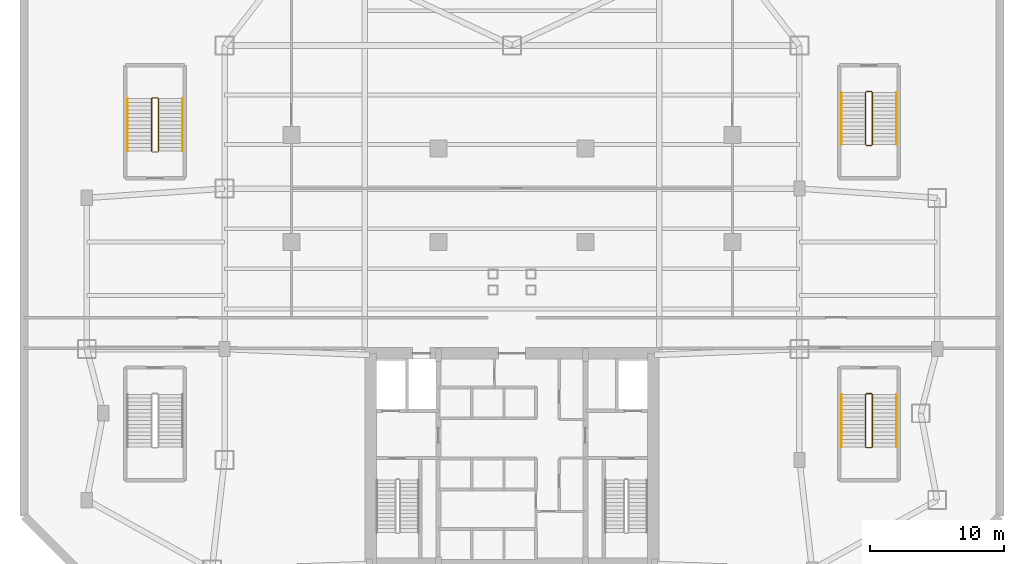
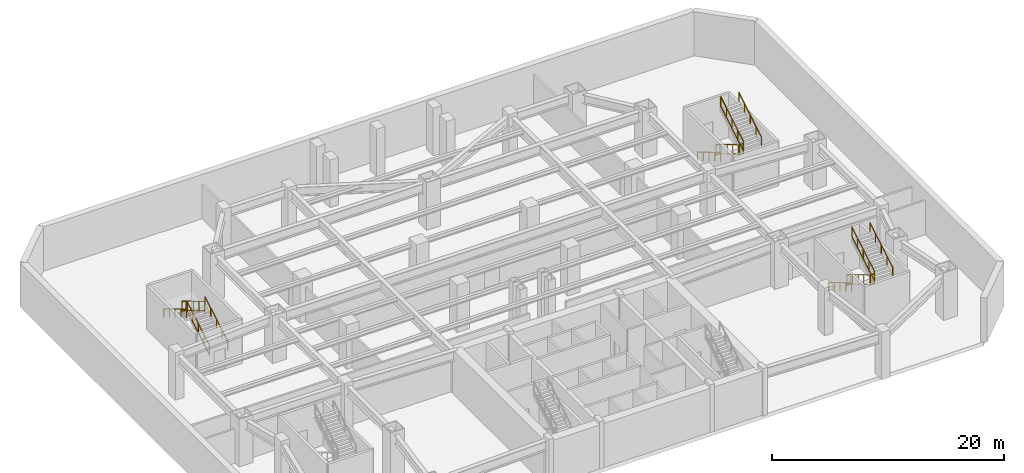
# One storey, part 6 of 6: 17 railings.
"""IFC4 building model written with IfcOpenShell, lengths in metres."""

from ifc_helpers import new_model, si_unit, direction, frame, origin, origin_2d, place, context, subcontext, project, spatial, rectangle, extrude, material, type_object, element, save


model = new_model("IFC4")

# Units and contexts
model_context = context("Model", 3, precision=1e-05, world=origin(), true_north=direction((0.0, 1.0)))
body_context = subcontext(model_context, "Body", "Model", "MODEL_VIEW")
ifc_project = project(units=[si_unit("LENGTHUNIT", "METRE"), si_unit("AREAUNIT", "SQUARE_METRE"), si_unit("VOLUMEUNIT", "CUBIC_METRE"), si_unit("PLANEANGLEUNIT", "RADIAN"), si_unit("MASSUNIT", "GRAM", prefix="KILO")], contexts=[model_context])

# Site, building, storey
site_placement = place(None, origin())
site = spatial("IfcSite", under=ifc_project, at=site_placement, CompositionType="ELEMENT")
building_placement = place(site_placement, origin())
building = spatial("IfcBuilding", under=site, at=building_placement, Name="Varnakhor Terracotta Tower", CompositionType="ELEMENT")
storey_placement = place(building_placement, frame((0.0, 0.0, -5.0)))
storey = spatial("IfcBuildingStorey", under=building, at=storey_placement, Name="B01", CompositionType="ELEMENT", Elevation=-5.0)

# Railings
ifc_material_1 = material(Name="Painted Steel Stairwell Guardrail", Category="steel")
railing_type_1 = type_object("IfcRailingType", Name="RLG-STAIR-GUARD-1120", PredefinedType="GUARDRAIL", material=ifc_material_1)
railing_1_placement = place(storey_placement, frame((26.449951171875, 13.10009765625, 0.166748046875)))
element("IfcRailing", 1, at=railing_1_placement, inside=storey, type_object=railing_type_1, Name="B01 ST-P2 stair guard 1", PredefinedType="GUARDRAIL", context=body_context, shape_type="SweptSolid", body=[
    extrude(rectangle(XDim=0.048095703125, YDim=0.048095703125, at=origin_2d()), frame((0.0, 0.0, 1.09619140625), z_axis=(0.0, -0.859310244771, 0.511454693235), x_axis=(1.0, 0.0, 0.0)), (0.0, 0.0, 1.0), 4.56201171875),
    extrude(rectangle(XDim=0.048095703125, YDim=0.048095703125, at=origin_2d()), frame((0.0, 0.0, 0.10009765625), z_axis=(0.0, -0.859310244771, 0.511454693235), x_axis=(1.0, 0.0, 0.0)), (0.0, 0.0, 1.0), 4.56201171875),
    extrude(rectangle(XDim=0.0419921875, YDim=0.0419921875, at=origin_2d()), origin(), (0.0, 0.0, 1.0), 1.072021484375),
    extrude(rectangle(XDim=0.0419921875, YDim=0.0419921875, at=origin_2d()), frame((0.0, -0.97998046875, 0.583251953125)), (0.0, 0.0, 1.0), 1.072021484375),
    extrude(rectangle(XDim=0.0419921875, YDim=0.0419921875, at=origin_2d()), frame((0.0, -1.9599609375, 1.16650390625)), (0.0, 0.0, 1.0), 1.072021484375),
    extrude(rectangle(XDim=0.0419921875, YDim=0.0419921875, at=origin_2d()), frame((0.0, -2.940185546875, 1.75)), (0.0, 0.0, 1.0), 1.072021484375),
    extrude(rectangle(XDim=0.0419921875, YDim=0.0419921875, at=origin_2d()), frame((0.0, -3.920166015625, 2.333251953125)), (0.0, 0.0, 1.0), 1.072021484375),
])
railing_2_placement = place(storey_placement, frame((26.5, 9.1298828125, 2.5)))
element("IfcRailing", 2, at=railing_2_placement, inside=storey, type_object=railing_type_1, Name="B01 ST-P2 stair guard 2", PredefinedType="GUARDRAIL", context=body_context, shape_type="SweptSolid", body=[
    extrude(rectangle(XDim=0.048095703125, YDim=0.048095703125, at=origin_2d()), frame((0.0, 0.0, 1.09619140625), z_axis=(1.0, 0.0, 0.0), x_axis=(0.0, 1.0, 0.0)), (0.0, 0.0, 1.0), 0.39990234375),
    extrude(rectangle(XDim=0.048095703125, YDim=0.048095703125, at=origin_2d()), frame((0.0, 0.0, 0.10009765625), z_axis=(1.0, 0.0, 0.0), x_axis=(0.0, 1.0, 0.0)), (0.0, 0.0, 1.0), 0.39990234375),
    extrude(rectangle(XDim=0.0419921875, YDim=0.0419921875, at=origin_2d()), origin(), (0.0, 0.0, 1.0), 1.072021484375),
    extrude(rectangle(XDim=0.0419921875, YDim=0.0419921875, at=origin_2d()), frame((0.39990234375, 0.0, 0.0)), (0.0, 0.0, 1.0), 1.072021484375),
])
railing_3_placement = place(storey_placement, frame((26.949951171875, 9.179931640625, 2.666748046875)))
element("IfcRailing", 3, at=railing_3_placement, inside=storey, type_object=railing_type_1, Name="B01 ST-P2 stair guard 3", PredefinedType="GUARDRAIL", context=body_context, shape_type="SweptSolid", body=[
    extrude(rectangle(XDim=0.048095703125, YDim=0.048095703125, at=origin_2d()), frame((0.0, 0.0, 1.09619140625), z_axis=(0.0, 0.859310244771, 0.511454693235), x_axis=(-1.0, 0.0, 0.0)), (0.0, 0.0, 1.0), 4.56201171875),
    extrude(rectangle(XDim=0.048095703125, YDim=0.048095703125, at=origin_2d()), frame((0.0, 0.0, 0.10009765625), z_axis=(0.0, 0.859310244771, 0.511454693235), x_axis=(-1.0, 0.0, 0.0)), (0.0, 0.0, 1.0), 4.56201171875),
    extrude(rectangle(XDim=0.0419921875, YDim=0.0419921875, at=origin_2d()), origin(), (0.0, 0.0, 1.0), 1.072021484375),
    extrude(rectangle(XDim=0.0419921875, YDim=0.0419921875, at=origin_2d()), frame((0.0, 0.97998046875, 0.583251953125)), (0.0, 0.0, 1.0), 1.072021484375),
    extrude(rectangle(XDim=0.0419921875, YDim=0.0419921875, at=origin_2d()), frame((0.0, 1.9599609375, 1.16650390625)), (0.0, 0.0, 1.0), 1.072021484375),
    extrude(rectangle(XDim=0.0419921875, YDim=0.0419921875, at=origin_2d()), frame((0.0, 2.940185546875, 1.75)), (0.0, 0.0, 1.0), 1.072021484375),
    extrude(rectangle(XDim=0.0419921875, YDim=0.0419921875, at=origin_2d()), frame((0.0, 3.920166015625, 2.333251953125)), (0.0, 0.0, 1.0), 1.072021484375),
])
railing_4_placement = place(storey_placement, frame((26.5, 13.14990234375, 0.0)))
element("IfcRailing", 4, at=railing_4_placement, inside=storey, type_object=railing_type_1, Name="B01 ST-P2 stair guard 4", PredefinedType="GUARDRAIL", context=body_context, shape_type="SweptSolid", body=[
    extrude(rectangle(XDim=0.048095703125, YDim=0.048095703125, at=origin_2d()), frame((0.0, 0.0, 1.09619140625), z_axis=(1.0, 0.0, 0.0), x_axis=(0.0, 1.0, 0.0)), (0.0, 0.0, 1.0), 0.39990234375),
    extrude(rectangle(XDim=0.048095703125, YDim=0.048095703125, at=origin_2d()), frame((0.0, 0.0, 0.10009765625), z_axis=(1.0, 0.0, 0.0), x_axis=(0.0, 1.0, 0.0)), (0.0, 0.0, 1.0), 0.39990234375),
    extrude(rectangle(XDim=0.0419921875, YDim=0.0419921875, at=origin_2d()), origin(), (0.0, 0.0, 1.0), 1.072021484375),
    extrude(rectangle(XDim=0.0419921875, YDim=0.0419921875, at=origin_2d()), frame((0.39990234375, 0.0, 0.0)), (0.0, 0.0, 1.0), 1.072021484375),
])
railing_5_placement = place(storey_placement, frame((-26.449951171875, 31.300048828125, 0.166748046875)))
element("IfcRailing", 5, at=railing_5_placement, inside=storey, type_object=railing_type_1, Name="B01 ST-P3 stair guard 1", PredefinedType="GUARDRAIL", context=body_context, shape_type="SweptSolid", body=[
    extrude(rectangle(XDim=0.048095703125, YDim=0.048095703125, at=origin_2d()), frame((0.0, 0.0, 1.09619140625), z_axis=(0.0, 0.859296244711, 0.511478214419), x_axis=(-1.0, 0.0, 0.0)), (0.0, 0.0, 1.0), 4.561767578125),
    extrude(rectangle(XDim=0.048095703125, YDim=0.048095703125, at=origin_2d()), frame((0.0, 0.0, 0.10009765625), z_axis=(0.0, 0.859296244711, 0.511478214419), x_axis=(-1.0, 0.0, 0.0)), (0.0, 0.0, 1.0), 4.561767578125),
    extrude(rectangle(XDim=0.0419921875, YDim=0.0419921875, at=origin_2d()), origin(), (0.0, 0.0, 1.0), 1.072021484375),
    extrude(rectangle(XDim=0.0419921875, YDim=0.0419921875, at=origin_2d()), frame((0.0, 0.97998046875, 0.583251953125)), (0.0, 0.0, 1.0), 1.072021484375),
    extrude(rectangle(XDim=0.0419921875, YDim=0.0419921875, at=origin_2d()), frame((0.0, 1.9599609375, 1.16650390625)), (0.0, 0.0, 1.0), 1.072021484375),
    extrude(rectangle(XDim=0.0419921875, YDim=0.0419921875, at=origin_2d()), frame((0.0, 2.93994140625, 1.75)), (0.0, 0.0, 1.0), 1.072021484375),
    extrude(rectangle(XDim=0.0419921875, YDim=0.0419921875, at=origin_2d()), frame((0.0, 3.919921875, 2.333251953125)), (0.0, 0.0, 1.0), 1.072021484375),
])
railing_6_placement = place(storey_placement, frame((-26.5, 35.27001953125, 2.5)))
element("IfcRailing", 6, at=railing_6_placement, inside=storey, type_object=railing_type_1, Name="B01 ST-P3 stair guard 2", PredefinedType="GUARDRAIL", context=body_context, shape_type="SweptSolid", body=[
    extrude(rectangle(XDim=0.048095703125, YDim=0.048095703125, at=origin_2d()), frame((0.0, 0.0, 1.09619140625), z_axis=(-1.0, 0.0, 0.0), x_axis=(0.0, -1.0, 0.0)), (0.0, 0.0, 1.0), 0.39990234375),
    extrude(rectangle(XDim=0.048095703125, YDim=0.048095703125, at=origin_2d()), frame((0.0, 0.0, 0.10009765625), z_axis=(-1.0, 0.0, 0.0), x_axis=(0.0, -1.0, 0.0)), (0.0, 0.0, 1.0), 0.39990234375),
    extrude(rectangle(XDim=0.0419921875, YDim=0.0419921875, at=origin_2d()), origin(), (0.0, 0.0, 1.0), 1.072021484375),
    extrude(rectangle(XDim=0.0419921875, YDim=0.0419921875, at=origin_2d()), frame((-0.39990234375, 0.0, 0.0)), (0.0, 0.0, 1.0), 1.072021484375),
])
for number, where, name in (
    (7, (-26.949951171875, 35.219970703125, 2.666748046875), "B01 ST-P3 stair guard 3"),
    (8, (26.449951171875, 35.699951171875, 0.166748046875), "B01 ST-P4 stair guard 1"),
):
    element("IfcRailing", number, at=place(storey_placement, frame(where)), inside=storey, type_object=railing_type_1, Name=name, PredefinedType="GUARDRAIL", context=body_context, shape_type="SweptSolid", body=[
        extrude(rectangle(XDim=0.048095703125, YDim=0.048095703125, at=origin_2d()), frame((0.0, 0.0, 1.09619140625), z_axis=(0.0, -0.859296244711, 0.511478214419), x_axis=(1.0, 0.0, 0.0)), (0.0, 0.0, 1.0), 4.561767578125),
        extrude(rectangle(XDim=0.048095703125, YDim=0.048095703125, at=origin_2d()), frame((0.0, 0.0, 0.10009765625), z_axis=(0.0, -0.859296244711, 0.511478214419), x_axis=(1.0, 0.0, 0.0)), (0.0, 0.0, 1.0), 4.561767578125),
        extrude(rectangle(XDim=0.0419921875, YDim=0.0419921875, at=origin_2d()), origin(), (0.0, 0.0, 1.0), 1.072021484375),
        extrude(rectangle(XDim=0.0419921875, YDim=0.0419921875, at=origin_2d()), frame((0.0, -0.97998046875, 0.583251953125)), (0.0, 0.0, 1.0), 1.072021484375),
        extrude(rectangle(XDim=0.0419921875, YDim=0.0419921875, at=origin_2d()), frame((0.0, -1.9599609375, 1.16650390625)), (0.0, 0.0, 1.0), 1.072021484375),
        extrude(rectangle(XDim=0.0419921875, YDim=0.0419921875, at=origin_2d()), frame((0.0, -2.93994140625, 1.75)), (0.0, 0.0, 1.0), 1.072021484375),
        extrude(rectangle(XDim=0.0419921875, YDim=0.0419921875, at=origin_2d()), frame((0.0, -3.919921875, 2.333251953125)), (0.0, 0.0, 1.0), 1.072021484375),
    ])
railing_7_placement = place(storey_placement, frame((26.5, 31.72998046875, 2.5)))
element("IfcRailing", 9, at=railing_7_placement, inside=storey, type_object=railing_type_1, Name="B01 ST-P4 stair guard 2", PredefinedType="GUARDRAIL", context=body_context, shape_type="SweptSolid", body=[
    extrude(rectangle(XDim=0.048095703125, YDim=0.048095703125, at=origin_2d()), frame((0.0, 0.0, 1.09619140625), z_axis=(1.0, 0.0, 0.0), x_axis=(0.0, 1.0, 0.0)), (0.0, 0.0, 1.0), 0.39990234375),
    extrude(rectangle(XDim=0.048095703125, YDim=0.048095703125, at=origin_2d()), frame((0.0, 0.0, 0.10009765625), z_axis=(1.0, 0.0, 0.0), x_axis=(0.0, 1.0, 0.0)), (0.0, 0.0, 1.0), 0.39990234375),
    extrude(rectangle(XDim=0.0419921875, YDim=0.0419921875, at=origin_2d()), origin(), (0.0, 0.0, 1.0), 1.072021484375),
    extrude(rectangle(XDim=0.0419921875, YDim=0.0419921875, at=origin_2d()), frame((0.39990234375, 0.0, 0.0)), (0.0, 0.0, 1.0), 1.072021484375),
])
railing_8_placement = place(storey_placement, frame((26.949951171875, 31.780029296875, 2.666748046875)))
element("IfcRailing", 10, at=railing_8_placement, inside=storey, type_object=railing_type_1, Name="B01 ST-P4 stair guard 3", PredefinedType="GUARDRAIL", context=body_context, shape_type="SweptSolid", body=[
    extrude(rectangle(XDim=0.048095703125, YDim=0.048095703125, at=origin_2d()), frame((0.0, 0.0, 1.09619140625), z_axis=(0.0, 0.859296244711, 0.511478214419), x_axis=(-1.0, 0.0, 0.0)), (0.0, 0.0, 1.0), 4.561767578125),
    extrude(rectangle(XDim=0.048095703125, YDim=0.048095703125, at=origin_2d()), frame((0.0, 0.0, 0.10009765625), z_axis=(0.0, 0.859296244711, 0.511478214419), x_axis=(-1.0, 0.0, 0.0)), (0.0, 0.0, 1.0), 4.561767578125),
    extrude(rectangle(XDim=0.0419921875, YDim=0.0419921875, at=origin_2d()), origin(), (0.0, 0.0, 1.0), 1.072021484375),
    extrude(rectangle(XDim=0.0419921875, YDim=0.0419921875, at=origin_2d()), frame((0.0, 0.97998046875, 0.583251953125)), (0.0, 0.0, 1.0), 1.072021484375),
    extrude(rectangle(XDim=0.0419921875, YDim=0.0419921875, at=origin_2d()), frame((0.0, 1.9599609375, 1.16650390625)), (0.0, 0.0, 1.0), 1.072021484375),
    extrude(rectangle(XDim=0.0419921875, YDim=0.0419921875, at=origin_2d()), frame((0.0, 2.93994140625, 1.75)), (0.0, 0.0, 1.0), 1.072021484375),
    extrude(rectangle(XDim=0.0419921875, YDim=0.0419921875, at=origin_2d()), frame((0.0, 3.919921875, 2.333251953125)), (0.0, 0.0, 1.0), 1.072021484375),
])
railing_9_placement = place(storey_placement, frame((26.5, 35.75, 0.0)))
element("IfcRailing", 11, at=railing_9_placement, inside=storey, type_object=railing_type_1, Name="B01 ST-P4 stair guard 4", PredefinedType="GUARDRAIL", context=body_context, shape_type="SweptSolid", body=[
    extrude(rectangle(XDim=0.048095703125, YDim=0.048095703125, at=origin_2d()), frame((0.0, 0.0, 1.09619140625), z_axis=(1.0, 0.0, 0.0), x_axis=(0.0, 1.0, 0.0)), (0.0, 0.0, 1.0), 0.39990234375),
    extrude(rectangle(XDim=0.048095703125, YDim=0.048095703125, at=origin_2d()), frame((0.0, 0.0, 0.10009765625), z_axis=(1.0, 0.0, 0.0), x_axis=(0.0, 1.0, 0.0)), (0.0, 0.0, 1.0), 0.39990234375),
    extrude(rectangle(XDim=0.0419921875, YDim=0.0419921875, at=origin_2d()), origin(), (0.0, 0.0, 1.0), 1.072021484375),
    extrude(rectangle(XDim=0.0419921875, YDim=0.0419921875, at=origin_2d()), frame((0.39990234375, 0.0, 0.0)), (0.0, 0.0, 1.0), 1.072021484375),
])
ifc_material_2 = material(Name="Brushed Stainless Steel Handrail", Category="steel")
railing_type_2 = type_object("IfcRailingType", Name="RLG-STAIR-HANDRAIL-920", PredefinedType="HANDRAIL", material=ifc_material_2)
railing_10_placement = place(storey_placement, frame((24.64990234375, 13.10009765625, 0.166748046875)))
element("IfcRailing", 12, at=railing_10_placement, inside=storey, type_object=railing_type_2, Name="B01 ST-P2 stair handrail 1", PredefinedType="HANDRAIL", context=body_context, shape_type="SweptSolid", body=[
    extrude(rectangle(XDim=0.048095703125, YDim=0.048095703125, at=origin_2d()), frame((0.0, 0.0, 0.89599609375), z_axis=(0.0, -0.859310244771, 0.511454693235), x_axis=(1.0, 0.0, 0.0)), (0.0, 0.0, 1.0), 4.56201171875),
    extrude(rectangle(XDim=0.0419921875, YDim=0.0419921875, at=origin_2d()), origin(), (0.0, 0.0, 1.0), 0.871826171875),
    extrude(rectangle(XDim=0.0419921875, YDim=0.0419921875, at=origin_2d()), frame((0.0, -0.97998046875, 0.583251953125)), (0.0, 0.0, 1.0), 0.871826171875),
    extrude(rectangle(XDim=0.0419921875, YDim=0.0419921875, at=origin_2d()), frame((0.0, -1.9599609375, 1.16650390625)), (0.0, 0.0, 1.0), 0.871826171875),
    extrude(rectangle(XDim=0.0419921875, YDim=0.0419921875, at=origin_2d()), frame((0.0, -2.940185546875, 1.75)), (0.0, 0.0, 1.0), 0.871826171875),
    extrude(rectangle(XDim=0.0419921875, YDim=0.0419921875, at=origin_2d()), frame((0.0, -3.920166015625, 2.333251953125)), (0.0, 0.0, 1.0), 0.871826171875),
])
railing_11_placement = place(storey_placement, frame((28.75, 9.179931640625, 2.666748046875)))
element("IfcRailing", 13, at=railing_11_placement, inside=storey, type_object=railing_type_2, Name="B01 ST-P2 stair handrail 2", PredefinedType="HANDRAIL", context=body_context, shape_type="SweptSolid", body=[
    extrude(rectangle(XDim=0.048095703125, YDim=0.048095703125, at=origin_2d()), frame((0.0, 0.0, 0.89599609375), z_axis=(0.0, 0.859310244771, 0.511454693235), x_axis=(-1.0, 0.0, 0.0)), (0.0, 0.0, 1.0), 4.56201171875),
    extrude(rectangle(XDim=0.0419921875, YDim=0.0419921875, at=origin_2d()), origin(), (0.0, 0.0, 1.0), 0.871826171875),
    extrude(rectangle(XDim=0.0419921875, YDim=0.0419921875, at=origin_2d()), frame((0.0, 0.97998046875, 0.583251953125)), (0.0, 0.0, 1.0), 0.871826171875),
    extrude(rectangle(XDim=0.0419921875, YDim=0.0419921875, at=origin_2d()), frame((0.0, 1.9599609375, 1.16650390625)), (0.0, 0.0, 1.0), 0.871826171875),
    extrude(rectangle(XDim=0.0419921875, YDim=0.0419921875, at=origin_2d()), frame((0.0, 2.940185546875, 1.75)), (0.0, 0.0, 1.0), 0.871826171875),
    extrude(rectangle(XDim=0.0419921875, YDim=0.0419921875, at=origin_2d()), frame((0.0, 3.920166015625, 2.333251953125)), (0.0, 0.0, 1.0), 0.871826171875),
])
railing_12_placement = place(storey_placement, frame((-24.64990234375, 31.300048828125, 0.166748046875)))
element("IfcRailing", 14, at=railing_12_placement, inside=storey, type_object=railing_type_2, Name="B01 ST-P3 stair handrail 1", PredefinedType="HANDRAIL", context=body_context, shape_type="SweptSolid", body=[
    extrude(rectangle(XDim=0.048095703125, YDim=0.048095703125, at=origin_2d()), frame((0.0, 0.0, 0.89599609375), z_axis=(0.0, 0.859296244711, 0.511478214419), x_axis=(-1.0, 0.0, 0.0)), (0.0, 0.0, 1.0), 4.561767578125),
    extrude(rectangle(XDim=0.0419921875, YDim=0.0419921875, at=origin_2d()), origin(), (0.0, 0.0, 1.0), 0.871826171875),
    extrude(rectangle(XDim=0.0419921875, YDim=0.0419921875, at=origin_2d()), frame((0.0, 0.97998046875, 0.583251953125)), (0.0, 0.0, 1.0), 0.871826171875),
    extrude(rectangle(XDim=0.0419921875, YDim=0.0419921875, at=origin_2d()), frame((0.0, 1.9599609375, 1.16650390625)), (0.0, 0.0, 1.0), 0.871826171875),
    extrude(rectangle(XDim=0.0419921875, YDim=0.0419921875, at=origin_2d()), frame((0.0, 2.93994140625, 1.75)), (0.0, 0.0, 1.0), 0.871826171875),
    extrude(rectangle(XDim=0.0419921875, YDim=0.0419921875, at=origin_2d()), frame((0.0, 3.919921875, 2.333251953125)), (0.0, 0.0, 1.0), 0.871826171875),
])
for number, where, name in (
    (15, (-28.75, 35.219970703125, 2.666748046875), "B01 ST-P3 stair handrail 2"),
    (16, (24.64990234375, 35.699951171875, 0.166748046875), "B01 ST-P4 stair handrail 1"),
):
    element("IfcRailing", number, at=place(storey_placement, frame(where)), inside=storey, type_object=railing_type_2, Name=name, PredefinedType="HANDRAIL", context=body_context, shape_type="SweptSolid", body=[
        extrude(rectangle(XDim=0.048095703125, YDim=0.048095703125, at=origin_2d()), frame((0.0, 0.0, 0.89599609375), z_axis=(0.0, -0.859296244711, 0.511478214419), x_axis=(1.0, 0.0, 0.0)), (0.0, 0.0, 1.0), 4.561767578125),
        extrude(rectangle(XDim=0.0419921875, YDim=0.0419921875, at=origin_2d()), origin(), (0.0, 0.0, 1.0), 0.871826171875),
        extrude(rectangle(XDim=0.0419921875, YDim=0.0419921875, at=origin_2d()), frame((0.0, -0.97998046875, 0.583251953125)), (0.0, 0.0, 1.0), 0.871826171875),
        extrude(rectangle(XDim=0.0419921875, YDim=0.0419921875, at=origin_2d()), frame((0.0, -1.9599609375, 1.16650390625)), (0.0, 0.0, 1.0), 0.871826171875),
        extrude(rectangle(XDim=0.0419921875, YDim=0.0419921875, at=origin_2d()), frame((0.0, -2.93994140625, 1.75)), (0.0, 0.0, 1.0), 0.871826171875),
        extrude(rectangle(XDim=0.0419921875, YDim=0.0419921875, at=origin_2d()), frame((0.0, -3.919921875, 2.333251953125)), (0.0, 0.0, 1.0), 0.871826171875),
    ])
railing_13_placement = place(storey_placement, frame((28.75, 31.780029296875, 2.666748046875)))
element("IfcRailing", 17, at=railing_13_placement, inside=storey, type_object=railing_type_2, Name="B01 ST-P4 stair handrail 2", PredefinedType="HANDRAIL", context=body_context, shape_type="SweptSolid", body=[
    extrude(rectangle(XDim=0.048095703125, YDim=0.048095703125, at=origin_2d()), frame((0.0, 0.0, 0.89599609375), z_axis=(0.0, 0.859296244711, 0.511478214419), x_axis=(-1.0, 0.0, 0.0)), (0.0, 0.0, 1.0), 4.561767578125),
    extrude(rectangle(XDim=0.0419921875, YDim=0.0419921875, at=origin_2d()), origin(), (0.0, 0.0, 1.0), 0.871826171875),
    extrude(rectangle(XDim=0.0419921875, YDim=0.0419921875, at=origin_2d()), frame((0.0, 0.97998046875, 0.583251953125)), (0.0, 0.0, 1.0), 0.871826171875),
    extrude(rectangle(XDim=0.0419921875, YDim=0.0419921875, at=origin_2d()), frame((0.0, 1.9599609375, 1.16650390625)), (0.0, 0.0, 1.0), 0.871826171875),
    extrude(rectangle(XDim=0.0419921875, YDim=0.0419921875, at=origin_2d()), frame((0.0, 2.93994140625, 1.75)), (0.0, 0.0, 1.0), 0.871826171875),
    extrude(rectangle(XDim=0.0419921875, YDim=0.0419921875, at=origin_2d()), frame((0.0, 3.919921875, 2.333251953125)), (0.0, 0.0, 1.0), 0.871826171875),
])

save(model, "model.ifc")
